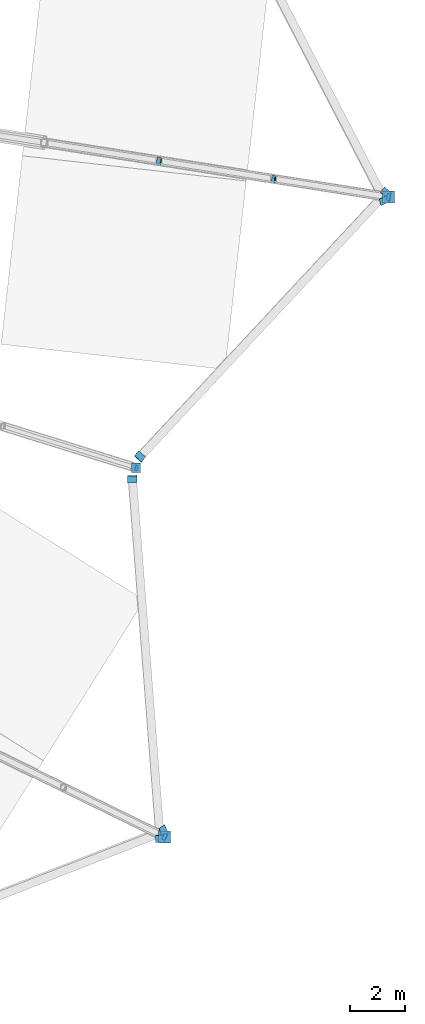
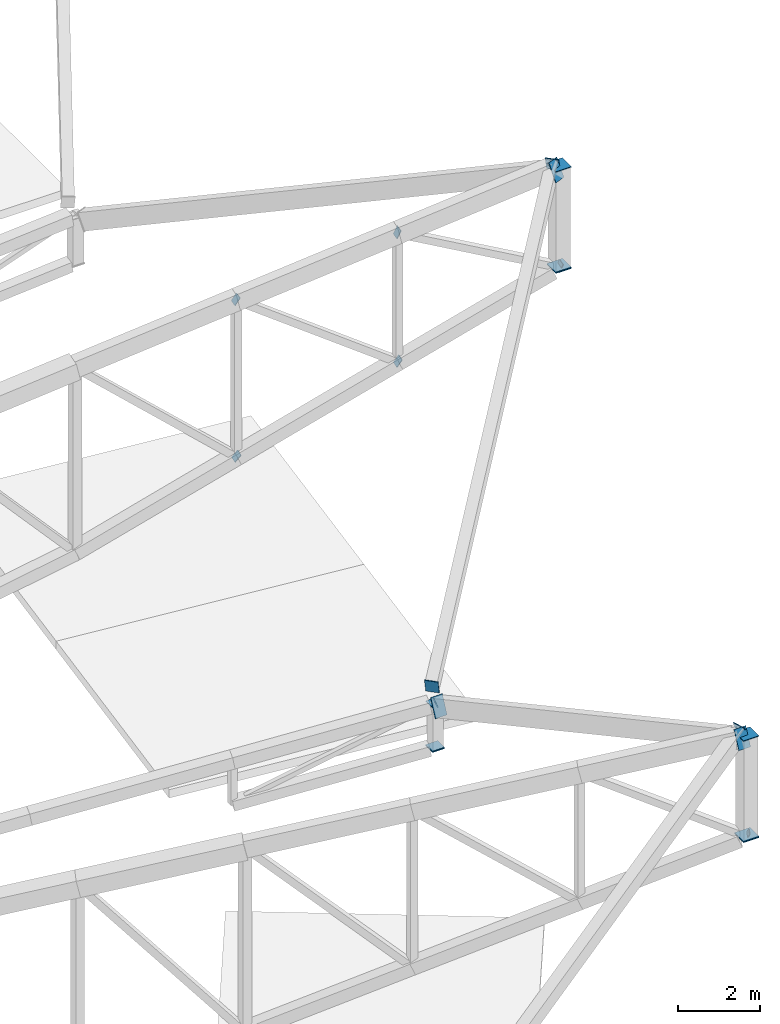
# One storey, part 148 of 188: 22 discrete accessories.
"""IFC4 building model written with IfcOpenShell, lengths in metres."""

import ifcopenshell
import ifcopenshell.guid

model = None  # the IFC model being written
_history = None  # IfcOwnerHistory: only IFC2X3 demands one
_inside = {}  # id of a spatial element -> (the spatial element, [elements in it])
_under = {}  # id of a project, library or spatial element -> (it, [spatial elements below it])
_declared = {}  # id of a project -> (the project, [libraries it declares])
_typed = {}  # id of a type object -> (the type object, [elements of that type])
_made_of = {}  # id of a material, layer set ... -> (it, [elements and type objects made of it])


def new_model(schema):
    """Start an empty IFC model of exactly this schema.

    Asked for "IFC4X3", IfcOpenShell would pick the latest addendum, in which some entities
    have other attributes; the version numbers below select the first issue.
    IFC2X3 requires an IfcOwnerHistory on every rooted entity: one is made here for all.
    """
    global model, _history
    if schema == "IFC4X3":
        model = ifcopenshell.file(schema_version=(4, 3, 0, 0))
    else:
        model = ifcopenshell.file(schema=schema)
    _inside.clear()
    _under.clear()
    _declared.clear()
    _typed.clear()
    _made_of.clear()
    _history = None
    if model.schema == "IFC2X3":
        org = make("IfcOrganization", Name="unknown")
        user = make(
            "IfcPersonAndOrganization",
            ThePerson=make("IfcPerson", FamilyName="unknown"),
            TheOrganization=org,
        )
        app = make(
            "IfcApplication",
            ApplicationDeveloper=org,
            Version="unknown",
            ApplicationFullName="unknown",
            ApplicationIdentifier="unknown",
        )
        _history = make(
            "IfcOwnerHistory",
            OwningUser=user,
            OwningApplication=app,
            ChangeAction="ADDED",
            CreationDate=0,
        )
    return model


def make(cls, **values):
    """One entity of the class cls with the attributes given. An attribute that is None is left unset."""
    return model.create_entity(
        cls, **{name: value for name, value in values.items() if value is not None}
    )


def rooted(cls, **values):
    """An entity with a GlobalId (a new one), such as an element, a storey or a relation."""
    return make(cls, GlobalId=ifcopenshell.guid.new(), OwnerHistory=_history, **values)


def si_unit(unit_type, name, prefix=None):
    """IfcSIUnit, for example si_unit("LENGTHUNIT", "METRE", prefix="MILLI")."""
    return make("IfcSIUnit", UnitType=unit_type, Prefix=prefix, Name=name)


def assignment(units):
    """IfcUnitAssignment: the units of a project."""
    return None if units is None else make("IfcUnitAssignment", Units=units)


def point(xyz):
    """IfcCartesianPoint."""
    return None if xyz is None else make("IfcCartesianPoint", Coordinates=xyz)


def direction(xyz):
    """IfcDirection."""
    return None if xyz is None else make("IfcDirection", DirectionRatios=xyz)


def frame(location, z_axis=None, x_axis=None):
    """IfcAxis2Placement3D, a coordinate frame: its origin and axes. An axis left out is left unset."""
    return make(
        "IfcAxis2Placement3D",
        Location=point(location),
        Axis=direction(z_axis),
        RefDirection=direction(x_axis),
    )


def frame_2d(location, x_axis=None):
    """IfcAxis2Placement2D, a coordinate frame in the plane: its origin and x axis."""
    return make(
        "IfcAxis2Placement2D", Location=point(location), RefDirection=direction(x_axis)
    )


def origin():
    """The frame at (0, 0, 0) with its axes left unset."""
    return frame((0.0, 0.0, 0.0))


def origin_2d():
    """The frame at (0, 0) in the plane with its x axis left unset."""
    return frame_2d((0.0, 0.0))


def place(relative_to, where):
    """IfcLocalPlacement: puts the frame where relative to a parent placement (None: the world)."""
    return make(
        "IfcLocalPlacement", PlacementRelTo=relative_to, RelativePlacement=where
    )


def context(
    kind, dimensions, precision=None, world=None, true_north=None, identifier=None
):
    """IfcGeometricRepresentationContext, for example the 3D "Model" context."""
    return make(
        "IfcGeometricRepresentationContext",
        ContextIdentifier=identifier,
        ContextType=kind,
        CoordinateSpaceDimension=dimensions,
        Precision=precision,
        WorldCoordinateSystem=world,
        TrueNorth=true_north,
    )


def subcontext(parent, identifier, kind, view, scale=None):
    """IfcGeometricRepresentationSubContext, for example "Body" below "Model"."""
    return make(
        "IfcGeometricRepresentationSubContext",
        ContextIdentifier=identifier,
        ContextType=kind,
        ParentContext=parent,
        TargetScale=scale,
        TargetView=view,
    )


def project(units=None, contexts=None):
    """IfcProject with its units and contexts."""
    return rooted(
        "IfcProject",
        Name="project",
        RepresentationContexts=contexts,
        UnitsInContext=assignment(units),
    )


def spatial(cls, under=None, at=None, **own):
    """A site, building, storey or space (cls), placed at a placement, below another one or the project."""
    s = rooted(cls, ObjectPlacement=at, **own)
    if under is not None:
        _under.setdefault(under.id(), (under, []))[1].append(s)
    return s


def profile(cls, at=None, kind="AREA", **sizes):
    """A parametric profile (cls). Its sizes go by their IFC names, for example OverallWidth=200.0."""
    return make(cls, ProfileType=kind, Position=at, **sizes)


def rectangle(**sizes):
    """IfcRectangleProfileDef."""
    return profile("IfcRectangleProfileDef", **sizes)


def extrude(swept, where, along, depth):
    """IfcExtrudedAreaSolid: the profile swept, set in the frame where, extruded along a direction by depth."""
    return make(
        "IfcExtrudedAreaSolid",
        SweptArea=swept,
        Position=where,
        ExtrudedDirection=direction(along),
        Depth=depth,
    )


def shape(context_of_items, identifier, shape_type, items):
    """IfcShapeRepresentation: the items that make up one representation, for example the "Body"."""
    return make(
        "IfcShapeRepresentation",
        ContextOfItems=context_of_items,
        RepresentationIdentifier=identifier,
        RepresentationType=shape_type,
        Items=items,
    )


def material(Name=None, Category=None):
    """IfcMaterial."""
    return make("IfcMaterial", Name=Name, Category=Category)


def material_profile(
    of_material, cross_section, Name=None, Category=None, Priority=None
):
    """IfcMaterialProfile: a cross section and its material."""
    return make(
        "IfcMaterialProfile",
        Name=Name,
        Material=of_material,
        Profile=cross_section,
        Priority=Priority,
        Category=Category,
    )


def profile_set(profiles, Name=None, composite=None):
    """IfcMaterialProfileSet."""
    return make(
        "IfcMaterialProfileSet",
        Name=Name,
        MaterialProfiles=profiles,
        CompositeProfile=composite,
    )


def made_of(thing, what):
    """Note that an element or type object is made of a material, layer set ...; save() writes the relation."""
    if what is not None:
        _made_of.setdefault(what.id(), (what, []))[1].append(thing)
    return thing


def type_object(cls, material=None, **own):
    """A type object (cls), such as IfcWallType, which elements share."""
    return made_of(rooted(cls, **own), material)


def element(
    cls,
    number,
    at=None,
    inside=None,
    cuts=None,
    type_object=None,
    material=None,
    context=None,
    identifier="Body",
    shape_type=None,
    held_by="IfcProductDefinitionShape",
    body=None,
    shapes=None,
    **own,
):
    """One element of the class cls, such as IfcWall. Its Tag is "e" and its number.

    at: its placement. inside: the storey or other place that contains it. cuts: it is an
    opening in that element (IfcRelVoidsElement). A single representation is given by context,
    identifier, shape_type and body (its items); several are given by shapes. held_by: the class
    of the entity that holds the representations. save() writes the other relations.
    """
    e = rooted(cls, Tag="e%d" % number, ObjectPlacement=at, **own)
    if body is not None:
        shapes = [shape(context, identifier, shape_type, body)]
    if shapes is not None:
        e.Representation = make(held_by, Representations=shapes)
    if inside is not None:
        _inside.setdefault(inside.id(), (inside, []))[1].append(e)
    if cuts is not None:
        rooted(
            "IfcRelVoidsElement", RelatingBuildingElement=cuts, RelatedOpeningElement=e
        )
    if type_object is not None:
        _typed.setdefault(type_object.id(), (type_object, []))[1].append(e)
    return made_of(e, material)


def aggregate(whole, parts):
    """IfcRelAggregates: a whole, such as a stair, and the parts it consists of."""
    return rooted("IfcRelAggregates", RelatingObject=whole, RelatedObjects=parts)


def save(model, path):
    """Write the relations noted so far, then the file.

    IfcRelAggregates (storeys below a building ...), IfcRelContainedInSpatialStructure (elements
    in a storey), IfcRelDefinesByType, IfcRelAssociatesMaterial and IfcRelDeclares: one each for
    every whole, place, type object, material and project.
    """
    for whole, parts in _under.values():
        aggregate(whole, parts)
    for where, things in _inside.values():
        rooted(
            "IfcRelContainedInSpatialStructure",
            RelatedElements=things,
            RelatingStructure=where,
        )
    for kind, things in _typed.values():
        rooted("IfcRelDefinesByType", RelatedObjects=things, RelatingType=kind)
    for what, things in _made_of.values():
        rooted("IfcRelAssociatesMaterial", RelatedObjects=things, RelatingMaterial=what)
    for by, libraries in _declared.values():
        rooted("IfcRelDeclares", RelatingContext=by, RelatedDefinitions=libraries)
    model.write(path)


model = new_model("IFC4")

# Units and contexts
model_context = context("Model", 3, precision=1e-05, world=origin(), true_north=direction((0.0, 1.0)))
body_context = subcontext(model_context, "Body", "Model", "MODEL_VIEW")
ifc_project = project(units=[si_unit("LENGTHUNIT", "METRE"), si_unit("AREAUNIT", "SQUARE_METRE"), si_unit("VOLUMEUNIT", "CUBIC_METRE"), si_unit("PLANEANGLEUNIT", "RADIAN"), si_unit("MASSUNIT", "GRAM", prefix="KILO")], contexts=[model_context])

# Site, building, storey
site_placement = place(None, origin())
site = spatial("IfcSite", under=ifc_project, at=site_placement, CompositionType="ELEMENT")
building_placement = place(site_placement, origin())
building = spatial("IfcBuilding", under=site, at=building_placement, Name="Meseta Stadium", CompositionType="ELEMENT")
storey_placement = place(building_placement, frame((0.0, 0.0, 30.0)))
storey = spatial("IfcBuildingStorey", under=building, at=storey_placement, Name="ROOF", CompositionType="ELEMENT", Elevation=30.0)

# Discrete accessories
ifc_material_1 = material(Name="Steel S355", Category="steel")
ifc_material_profile_1 = material_profile(ifc_material_1, rectangle(XDim=0.179931640625, YDim=0.179931640625, at=origin_2d()), Name="PL 180x180")
ifc_profile_set_1 = profile_set([ifc_material_profile_1], Name="Steel S355")
discrete_accessory_type_1 = type_object("IfcDiscreteAccessoryType", Name="End plate 180x180x20", PredefinedType="ANCHORPLATE", material=ifc_profile_set_1)
discrete_accessory_1_placement = place(storey_placement, frame((91.872802734375, -66.051513671875, 3.592041015625), z_axis=(0.870069292447, -0.281853432765, 0.404398403532), x_axis=(0.308177010852, 0.951329033501, 0.0)))
element("IfcDiscreteAccessory", 1, at=discrete_accessory_1_placement, inside=storey, type_object=discrete_accessory_type_1, Name="End plate of ROOF TRUSS RT-55 diagonal", PredefinedType="ANCHORPLATE", context=body_context, shape_type="SweptSolid", body=[
    extrude(rectangle(XDim=0.179931640625, YDim=0.179931640625, at=origin_2d()), origin(), (0.0, 0.0, 1.0), 0.02001953125),
])
ifc_material_2 = material(Name="Steel S355", Category="steel")
ifc_material_profile_2 = material_profile(ifc_material_2, rectangle(XDim=0.239990234375, YDim=0.239990234375, at=origin_2d()), Name="PL 240x240")
ifc_profile_set_2 = profile_set([ifc_material_profile_2], Name="Steel S355")
discrete_accessory_type_2 = type_object("IfcDiscreteAccessoryType", Name="End plate 240x240x20", PredefinedType="ANCHORPLATE", material=ifc_profile_set_2)
discrete_accessory_2_placement = place(storey_placement, frame((92.70751953125, -54.884033203125, 3.892578125), z_axis=(0.737244239088, -0.120859711326, -0.664728412293), x_axis=(0.161775027066, 0.986827665106, 0.0)))
element("IfcDiscreteAccessory", 2, at=discrete_accessory_2_placement, inside=storey, type_object=discrete_accessory_type_2, Name="End plate of ROOF TRUSS RT-00 diagonal", PredefinedType="ANCHORPLATE", context=body_context, shape_type="SweptSolid", body=[
    extrude(rectangle(XDim=0.239990234375, YDim=0.239990234375, at=origin_2d()), origin(), (0.0, 0.0, 1.0), 0.020263671875),
])
for number, where, z_axis, x_axis, name in (
    (3, (92.691162109375, -54.881591796875, 8.570556640625), (0.812613854697, -0.121285649955, -0.570042554788), (0.147618562253, 0.989044367093, 0.0), "End plate of ROOF TRUSS RT-00 diagonal"),
    (4, (96.879638671875, -55.54345703125, 5.663818359375), (0.807162077407, -0.134527012901, -0.574797236941), (0.164398987305, 0.986393923832, 0.0), "End plate of ROOF TRUSS RT-00 diagonal"),
    (5, (96.86181640625, -55.540771484375, 9.505859375), (0.888791088931, -0.133927424359, -0.438307934267), (0.149002801525, 0.988836773759, 0.0), "End plate of ROOF TRUSS RT-00 diagonal"),
):
    element("IfcDiscreteAccessory", number, at=place(storey_placement, frame(where, z_axis=z_axis, x_axis=x_axis)), inside=storey, type_object=discrete_accessory_type_2, Name=name, PredefinedType="ANCHORPLATE", context=body_context, shape_type="SweptSolid", body=[
        extrude(rectangle(XDim=0.239990234375, YDim=0.239990234375, at=origin_2d()), origin(), (0.0, 0.0, 1.0), 0.02001953125),
    ])
discrete_accessory_3_placement = place(storey_placement, frame((101.0517578125, -56.202880859375, 7.43505859375), z_axis=(0.886191601867, -0.135390383619, -0.443095800933), x_axis=(0.151025398742, 0.988529882672, 0.0)))
element("IfcDiscreteAccessory", 6, at=discrete_accessory_3_placement, inside=storey, type_object=discrete_accessory_type_2, Name="End plate of ROOF TRUSS RT-00 diagonal", PredefinedType="ANCHORPLATE", context=body_context, shape_type="SweptSolid", body=[
    extrude(rectangle(XDim=0.239990234375, YDim=0.239990234375, at=origin_2d()), origin(), (0.0, 0.0, 1.0), 0.019775390625),
])
discrete_accessory_4_placement = place(storey_placement, frame((92.908447265625, -79.474609375, 7.4296875), z_axis=(0.798958877053, -0.387374000995, -0.460006626182), x_axis=(0.436273506519, 0.899814107196, 0.0)))
element("IfcDiscreteAccessory", 7, at=discrete_accessory_4_placement, inside=storey, type_object=discrete_accessory_type_2, Name="End plate of ROOF TRUSS RT-54 diagonal", PredefinedType="ANCHORPLATE", context=body_context, shape_type="SweptSolid", body=[
    extrude(rectangle(XDim=0.239990234375, YDim=0.239990234375, at=origin_2d()), origin(), (0.0, 0.0, 1.0), 0.020263671875),
])
ifc_material_3 = material(Name="Steel S355", Category="steel")
ifc_material_profile_3 = material_profile(ifc_material_3, rectangle(XDim=0.340087890625, YDim=0.340087890625, at=origin_2d()), Name="PL 340x340")
ifc_profile_set_3 = profile_set([ifc_material_profile_3], Name="Steel S355")
discrete_accessory_type_3 = type_object("IfcDiscreteAccessoryType", Name="End plate 340x340x20", PredefinedType="ANCHORPLATE", material=ifc_profile_set_3)
for number, where, z_axis, x_axis, name in (
    (8, (91.872802734375, -66.051513671875, 2.27197265625), (0.0, 0.0, 1.0), (1.0, 0.0, 0.0), "End plate of ROOF TRUSS RT-55 post"),
    (9, (91.872802734375, -66.051513671875, 3.592041015625), (0.0, 0.0, 1.0), (1.0, 0.0, 0.0), "End plate of ROOF TRUSS RT-55 post"),
    (10, (91.872802734375, -66.051513671875, 2.2919921875), (0.0, 0.0, 1.0), (1.0, 0.0, 0.0), "End plate of ROOF RIM POST RT-55"),
):
    element("IfcDiscreteAccessory", number, at=place(storey_placement, frame(where, z_axis=z_axis, x_axis=x_axis)), inside=storey, type_object=discrete_accessory_type_3, Name=name, PredefinedType="ANCHORPLATE", context=body_context, shape_type="SweptSolid", body=[
        extrude(rectangle(XDim=0.340087890625, YDim=0.340087890625, at=origin_2d()), origin(), (0.0, 0.0, 1.0), 0.02001953125),
    ])
ifc_material_4 = material(Name="Steel S355", Category="steel")
ifc_material_profile_4 = material_profile(ifc_material_4, rectangle(XDim=0.340087890625, YDim=0.5400390625, at=origin_2d()), Name="PL 340x540")
ifc_profile_set_4 = profile_set([ifc_material_profile_4], Name="Steel S355")
discrete_accessory_type_4 = type_object("IfcDiscreteAccessoryType", Name="End plate 340x540x20", PredefinedType="ANCHORPLATE", material=ifc_profile_set_4)
discrete_accessory_5_placement = place(storey_placement, frame((100.904052734375, -56.33056640625, 10.424560546875), z_axis=(-0.408092178535, 0.803817927417, -0.43282503784), x_axis=(-0.903585151318, -0.423330383113, 0.06576671689)))
element("IfcDiscreteAccessory", 11, at=discrete_accessory_5_placement, inside=storey, type_object=discrete_accessory_type_4, Name="End plate of RIM RING BEAM 01", PredefinedType="ANCHORPLATE", context=body_context, shape_type="SweptSolid", body=[
    extrude(rectangle(XDim=0.340087890625, YDim=0.5400390625, at=origin_2d()), origin(), (0.0, 0.0, 1.0), 0.019775390625),
])
for number, where, z_axis, x_axis, name in (
    (12, (92.86181640625, -79.263916015625, 10.42431640625), (0.836378997001, 0.315157303218, 0.448493085348), (-0.399157369205, 0.910935642179, 0.104257615635), "End plate of RIM RING BEAM 54"),
    (13, (92.744873046875, -79.54541015625, 10.419189453125), (-0.060980144439, 0.890310108805, -0.451253068847), (-0.998134526332, -0.053041790156, 0.030233025682), "End plate of RIM RING BEAM 55"),
    (14, (91.73583984375, -66.469482421875, 3.794921875), (-0.061313933948, 0.895183435648, -0.441460324429), (-0.998111855929, -0.053372778029, 0.030398513431), "End plate of RIM RING BEAM 55"),
    (15, (92.010498046875, -65.650146484375, 3.787353515625), (0.610300928137, 0.659125002388, 0.439416668258), (-0.745626704572, 0.665299801825, 0.037642942501), "End plate of RIM RING BEAM 56"),
    (16, (100.9521484375, -56.055908203125, 10.411376953125), (0.611852581845, 0.648563736756, 0.452770910566), (-0.73977473836, 0.671816394541, 0.037364000198), "End plate of RIM RING BEAM 56"),
):
    element("IfcDiscreteAccessory", number, at=place(storey_placement, frame(where, z_axis=z_axis, x_axis=x_axis)), inside=storey, type_object=discrete_accessory_type_4, Name=name, PredefinedType="ANCHORPLATE", context=body_context, shape_type="SweptSolid", body=[
        extrude(rectangle(XDim=0.340087890625, YDim=0.5400390625, at=origin_2d()), origin(), (0.0, 0.0, 1.0), 0.02001953125),
    ])
ifc_material_5 = material(Name="Steel S355", Category="steel")
ifc_material_profile_5 = material_profile(ifc_material_5, rectangle(XDim=0.43994140625, YDim=0.43994140625, at=origin_2d()), Name="PL 440x440")
ifc_profile_set_5 = profile_set([ifc_material_profile_5], Name="Steel S355")
discrete_accessory_type_5 = type_object("IfcDiscreteAccessoryType", Name="End plate 440x440x20", PredefinedType="ANCHORPLATE", material=ifc_profile_set_5)
for number, where, z_axis, x_axis, name in (
    (17, (101.0517578125, -56.202880859375, 7.4150390625), (0.0, 0.0, 1.0), (1.0, 0.0, 0.0), "End plate of ROOF TRUSS RT-00 post"),
    (18, (101.0517578125, -56.202880859375, 10.43505859375), (0.0, 0.0, 1.0), (1.0, 0.0, 0.0), "End plate of ROOF TRUSS RT-00 post"),
    (19, (92.908447265625, -79.474609375, 7.40966796875), (0.0, 0.0, 1.0), (1.0, 0.0, 0.0), "End plate of ROOF TRUSS RT-54 post"),
):
    element("IfcDiscreteAccessory", number, at=place(storey_placement, frame(where, z_axis=z_axis, x_axis=x_axis)), inside=storey, type_object=discrete_accessory_type_5, Name=name, PredefinedType="ANCHORPLATE", context=body_context, shape_type="SweptSolid", body=[
        extrude(rectangle(XDim=0.43994140625, YDim=0.43994140625, at=origin_2d()), origin(), (0.0, 0.0, 1.0), 0.02001953125),
    ])
discrete_accessory_6_placement = place(storey_placement, frame((92.908447265625, -79.474609375, 10.4296875), z_axis=(0.0, 0.0, 1.0), x_axis=(1.0, 0.0, 0.0)))
element("IfcDiscreteAccessory", 20, at=discrete_accessory_6_placement, inside=storey, type_object=discrete_accessory_type_5, Name="End plate of ROOF TRUSS RT-54 post", PredefinedType="ANCHORPLATE", context=body_context, shape_type="SweptSolid", body=[
    extrude(rectangle(XDim=0.43994140625, YDim=0.43994140625, at=origin_2d()), origin(), (0.0, 0.0, 1.0), 0.019775390625),
])
discrete_accessory_7_placement = place(storey_placement, frame((101.0517578125, -56.202880859375, 7.43505859375), z_axis=(0.0, 0.0, 1.0), x_axis=(1.0, 0.0, 0.0)))
element("IfcDiscreteAccessory", 21, at=discrete_accessory_7_placement, inside=storey, type_object=discrete_accessory_type_5, Name="End plate of ROOF RIM POST RT-00", PredefinedType="ANCHORPLATE", context=body_context, shape_type="SweptSolid", body=[
    extrude(rectangle(XDim=0.43994140625, YDim=0.43994140625, at=origin_2d()), origin(), (0.0, 0.0, 1.0), 0.02001953125),
])
discrete_accessory_8_placement = place(storey_placement, frame((92.908447265625, -79.474609375, 7.4296875), z_axis=(0.0, 0.0, 1.0), x_axis=(1.0, 0.0, 0.0)))
element("IfcDiscreteAccessory", 22, at=discrete_accessory_8_placement, inside=storey, type_object=discrete_accessory_type_5, Name="End plate of ROOF RIM POST RT-54", PredefinedType="ANCHORPLATE", context=body_context, shape_type="SweptSolid", body=[
    extrude(rectangle(XDim=0.43994140625, YDim=0.43994140625, at=origin_2d()), origin(), (0.0, 0.0, 1.0), 0.019775390625),
])

save(model, "model.ifc")
